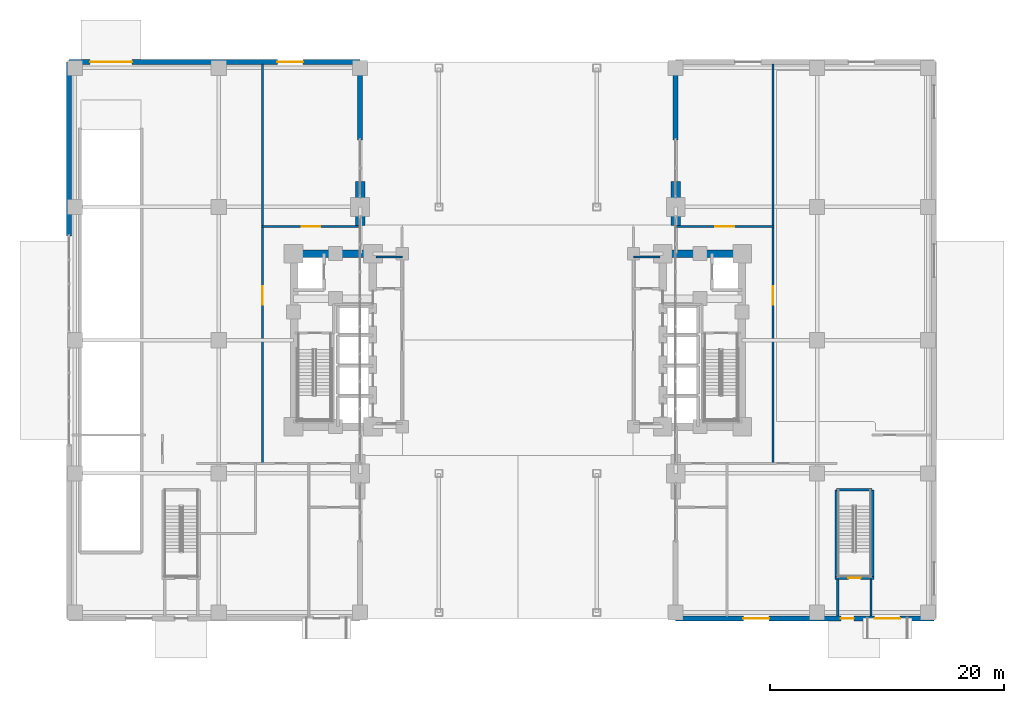
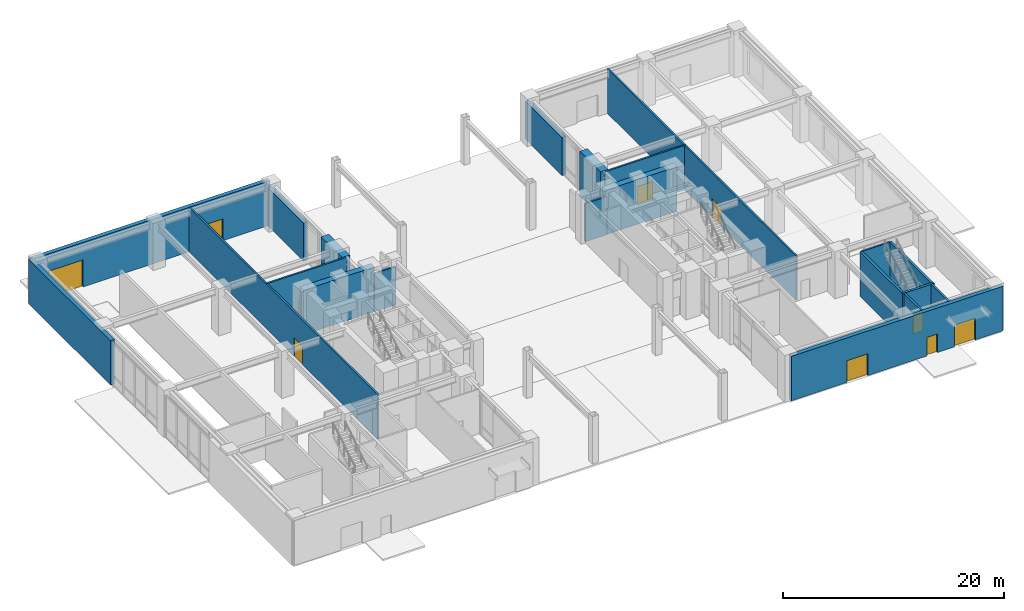
# One storey, part 19 of 23: 21 walls, 10 doors, 10 openings.
"""IFC4 building model written with IfcOpenShell, lengths in metres."""

from ifc_helpers import new_model, si_unit, direction, frame, frame_2d, origin, place, context, subcontext, project, spatial, rectangle, extrude, material, layer, layer_set, type_object, element, fill, save


model = new_model("IFC4")

# Units and contexts
model_context = context("Model", 3, precision=1e-05, world=origin(), true_north=direction((0.0, 1.0)))
body_context = subcontext(model_context, "Body", "Model", "MODEL_VIEW")
ifc_project = project(units=[si_unit("LENGTHUNIT", "METRE"), si_unit("AREAUNIT", "SQUARE_METRE"), si_unit("VOLUMEUNIT", "CUBIC_METRE"), si_unit("PLANEANGLEUNIT", "RADIAN"), si_unit("MASSUNIT", "GRAM", prefix="KILO")], contexts=[model_context])

# Site, building, storey
site_placement = place(None, origin())
site = spatial("IfcSite", under=ifc_project, at=site_placement, CompositionType="ELEMENT")
building_placement = place(site_placement, origin())
building = spatial("IfcBuilding", under=site, at=building_placement, Name="Voryun Gate Residences", CompositionType="ELEMENT")
storey_placement = place(building_placement, origin())
storey = spatial("IfcBuildingStorey", under=building, at=storey_placement, Name="L00", CompositionType="ELEMENT", Elevation=0.0)

# Walls
ifc_material_1 = material(Name="Concrete C60/75", Category="concrete")
ifc_layer_1 = layer(ifc_material_1, 0.64990234375, Name="CW_CORE_650")
ifc_layer_set_1 = layer_set([ifc_layer_1], Name="Concrete C60/75")
wall_type_1 = type_object("IfcWallType", Name="CW_CORE_650", PredefinedType="SHEAR", material=ifc_layer_set_1)
for number, where, z_axis, x_axis, name in (
    (1, (-19.52490234375, 7.39990234375, 0.0), (0.0, 0.0, 1.0), (1.0, 0.0, 0.0), "L00 Core shear wall CW-L00-WN"),
    (2, (12.074951171875, 7.39990234375, 0.0), (0.0, 0.0, 1.0), (1.0, 0.0, 0.0), "L00 Core shear wall CW-L00-EN"),
):
    element("IfcWall", number, at=place(storey_placement, frame(where, z_axis=z_axis, x_axis=x_axis)), inside=storey, type_object=wall_type_1, Name=name, PredefinedType="SHEAR", context=body_context, shape_type="SweptSolid", body=[
        extrude(rectangle(XDim=7.449951171875, YDim=0.64990234375, at=frame_2d((3.72509765625, 0.0))), origin(), (0.0, 0.0, 1.0), 4.919921875),
    ])
ifc_material_2 = material(Name="Concrete C60/75", Category="concrete")
ifc_layer_2 = layer(ifc_material_2, 0.800048828125, Name="W_ARCH_PIER_800")
ifc_layer_set_2 = layer_set([ifc_layer_2], Name="Concrete C60/75")
wall_type_2 = type_object("IfcWallType", Name="W_ARCH_PIER_800", PredefinedType="SOLIDWALL", material=ifc_layer_set_2)
for number, where, z_axis, x_axis, name in (
    (3, (-13.5, 9.800048828125, 0.0), (0.0, 0.0, 1.0), (0.0, 1.0, 0.0), "L00 Parabolic arch pier wall WN"),
    (4, (13.5, 9.800048828125, 0.0), (0.0, 0.0, 1.0), (0.0, 1.0, 0.0), "L00 Parabolic arch pier wall EN"),
):
    element("IfcWall", number, at=place(storey_placement, frame(where, z_axis=z_axis, x_axis=x_axis)), inside=storey, type_object=wall_type_2, Name=name, PredefinedType="SOLIDWALL", context=body_context, shape_type="SweptSolid", body=[
        extrude(rectangle(XDim=3.800048828125, YDim=0.800048828125, at=frame_2d((1.89990234375, 0.0))), origin(), (0.0, 0.0, 1.0), 4.919921875),
    ])
ifc_material_3 = material(Name="Gypsum acoustic fireboard")
ifc_layer_3 = layer(ifc_material_3, 0.179931640625, Name="W_CORR_RATED_180")
ifc_layer_set_3 = layer_set([ifc_layer_3], Name="Gypsum acoustic fireboard")
wall_type_3 = type_object("IfcWallType", Name="W_CORR_RATED_180", PredefinedType="PARTITIONING", material=ifc_layer_set_3)
for number, where, z_axis, x_axis, name in (
    (5, (-12.14990234375, 7.1201171875, 0.0), (0.0, 0.0, 1.0), (1.0, 0.0, 0.0), "Partition wall WP-L00-PLBN-W"),
    (6, (9.8798828125, 7.1201171875, 0.0), (0.0, 0.0, 1.0), (1.0, 0.0, 0.0), "Partition wall WP-L00-PLBN-E"),
):
    element("IfcWall", number, at=place(storey_placement, frame(where, z_axis=z_axis, x_axis=x_axis)), inside=storey, type_object=wall_type_3, Name=name, PredefinedType="PARTITIONING", context=body_context, shape_type="SweptSolid", body=[
        extrude(rectangle(XDim=2.27001953125, YDim=0.179931640625, at=frame_2d((1.135009765625, 0.0))), origin(), (0.0, 0.0, 1.0), 4.2099609375),
    ])
wall_1_placement = place(storey_placement, frame((27.280029296875, -12.800048828125, 0.0), z_axis=(0.0, 0.0, 1.0), x_axis=(1.0, 0.0, 0.0)))
element("IfcWall", 7, at=wall_1_placement, inside=storey, type_object=wall_type_3, Name="Partition wall WP-L00-ST-P2-MID", PredefinedType="PARTITIONING", context=body_context, shape_type="SweptSolid", body=[
    extrude(rectangle(XDim=3.0400390625, YDim=0.179931640625, at=frame_2d((1.52001953125, 0.0))), origin(), (0.0, 0.0, 1.0), 4.919921875),
])

# Wall, opening, door
wall_2_placement = place(storey_placement, frame((-21.85009765625, -10.5, 0.0), z_axis=(0.0, 0.0, 1.0), x_axis=(0.0, 1.0, 0.0)))
wall_2 = element("IfcWall", 8, at=wall_2_placement, inside=storey, type_object=wall_type_3, Name="Partition wall WP-L00-WCW1", PredefinedType="PARTITIONING", context=body_context, shape_type="SweptSolid", body=[
    extrude(rectangle(XDim=34.1201171875, YDim=0.179931640625, at=frame_2d((17.06005859375, 0.0))), origin(), (0.0, 0.0, 1.0), 4.919921875),
])
opening_1_placement = place(wall_2_placement, frame((13.530517578125, 0.0, 0.0)))
opening_1 = element("IfcOpeningElement", 9, at=opening_1_placement, cuts=wall_2, Name="Opening D-FD30-1", PredefinedType="OPENING", context=body_context, shape_type="SweptSolid", body=[
    extrude(rectangle(XDim=1.60009765625, YDim=2.050048828125, at=frame_2d((0.800048828125, 1.02490234375))), frame((0.0, 0.099853515625, 0.0), z_axis=(0.0, -1.0, 0.0), x_axis=(1.0, 0.0, 0.0)), (0.0, 0.0, 1.0), 0.199951171875),
])
ifc_material_4 = material(Name="Glazed aluminium fire door", Category="aluminium")
door_type_1 = type_object("IfcDoorType", Name="DR_CORR_SMOKE_1600", OperationType="NOTDEFINED", PredefinedType="DOOR", material=ifc_material_4)
door_1_placement = place(opening_1_placement, origin())
door_1 = element("IfcDoor", 10, at=door_1_placement, inside=storey, type_object=door_type_1, Name="Door DR-L00-WD1", OperationType="DOUBLE_DOOR_SINGLE_SWING", OverallHeight=2.050048828125, OverallWidth=1.60009765625, PredefinedType="DOOR", context=body_context, shape_type="SweptSolid", body=[
    extrude(rectangle(XDim=1.60009765625, YDim=2.050048828125, at=frame_2d((0.800048828125, 1.02490234375))), frame((0.0, 0.02490234375, 0.0), z_axis=(0.0, -1.0, 0.0), x_axis=(1.0, 0.0, 0.0)), (0.0, 0.0, 1.0), 0.050048828125),
])
fill(opening_1, door_1)

wall_3_placement = place(storey_placement, frame((-21.89990234375, 9.719970703125, 0.0), z_axis=(0.0, 0.0, 1.0), x_axis=(1.0, 0.0, 0.0)))
wall_3 = element("IfcWall", 11, at=wall_3_placement, inside=storey, type_object=wall_type_3, Name="Partition wall WP-L00-WCN1", PredefinedType="PARTITIONING", context=body_context, shape_type="SweptSolid", body=[
    extrude(rectangle(XDim=8.3798828125, YDim=0.179931640625, at=frame_2d((4.18994140625, 0.0))), origin(), (0.0, 0.0, 1.0), 4.919921875),
])
opening_2_placement = place(wall_3_placement, frame((3.389892578125, 0.0, 0.0)))
opening_2 = element("IfcOpeningElement", 12, at=opening_2_placement, cuts=wall_3, Name="Opening D-FD30-1", PredefinedType="OPENING", context=body_context, shape_type="SweptSolid", body=[
    extrude(rectangle(XDim=1.60009765625, YDim=2.050048828125, at=frame_2d((0.800048828125, 1.02490234375))), frame((0.0, 0.099853515625, 0.0), z_axis=(0.0, -1.0, 0.0), x_axis=(1.0, 0.0, 0.0)), (0.0, 0.0, 1.0), 0.199951171875),
])
door_2_placement = place(opening_2_placement, origin())
door_2 = element("IfcDoor", 13, at=door_2_placement, inside=storey, type_object=door_type_1, Name="Door DR-L00-WD3", OperationType="DOUBLE_DOOR_SINGLE_SWING", OverallHeight=2.050048828125, OverallWidth=1.60009765625, PredefinedType="DOOR", context=body_context, shape_type="SweptSolid", body=[
    extrude(rectangle(XDim=1.60009765625, YDim=2.050048828125, at=frame_2d((0.800048828125, 1.02490234375))), frame((0.0, 0.02490234375, 0.0), z_axis=(0.0, -1.0, 0.0), x_axis=(1.0, 0.0, 0.0)), (0.0, 0.0, 1.0), 0.050048828125),
])
fill(opening_2, door_2)

wall_4_placement = place(storey_placement, frame((21.85009765625, -10.5, 0.0), z_axis=(0.0, 0.0, 1.0), x_axis=(0.0, 1.0, 0.0)))
wall_4 = element("IfcWall", 14, at=wall_4_placement, inside=storey, type_object=wall_type_3, Name="Partition wall WP-L00-ECE1", PredefinedType="PARTITIONING", context=body_context, shape_type="SweptSolid", body=[
    extrude(rectangle(XDim=34.1201171875, YDim=0.179931640625, at=frame_2d((17.06005859375, 0.0))), origin(), (0.0, 0.0, 1.0), 4.919921875),
])
opening_3_placement = place(wall_4_placement, frame((13.530517578125, 0.0, 0.0)))
opening_3 = element("IfcOpeningElement", 15, at=opening_3_placement, cuts=wall_4, Name="Opening D-FD30-1", PredefinedType="OPENING", context=body_context, shape_type="SweptSolid", body=[
    extrude(rectangle(XDim=1.60009765625, YDim=2.050048828125, at=frame_2d((0.800048828125, 1.02490234375))), frame((0.0, 0.099853515625, 0.0), z_axis=(0.0, -1.0, 0.0), x_axis=(1.0, 0.0, 0.0)), (0.0, 0.0, 1.0), 0.199951171875),
])
door_3_placement = place(opening_3_placement, origin())
door_3 = element("IfcDoor", 16, at=door_3_placement, inside=storey, type_object=door_type_1, Name="Door DR-L00-ED1", OperationType="DOUBLE_DOOR_SINGLE_SWING", OverallHeight=2.050048828125, OverallWidth=1.60009765625, PredefinedType="DOOR", context=body_context, shape_type="SweptSolid", body=[
    extrude(rectangle(XDim=1.60009765625, YDim=2.050048828125, at=frame_2d((0.800048828125, 1.02490234375))), frame((0.0, 0.02490234375, 0.0), z_axis=(0.0, -1.0, 0.0), x_axis=(1.0, 0.0, 0.0)), (0.0, 0.0, 1.0), 0.050048828125),
])
fill(opening_3, door_3)

wall_5_placement = place(storey_placement, frame((13.52001953125, 9.719970703125, 0.0), z_axis=(0.0, 0.0, 1.0), x_axis=(1.0, 0.0, 0.0)))
wall_5 = element("IfcWall", 17, at=wall_5_placement, inside=storey, type_object=wall_type_3, Name="Partition wall WP-L00-ECN1", PredefinedType="PARTITIONING", context=body_context, shape_type="SweptSolid", body=[
    extrude(rectangle(XDim=8.3798828125, YDim=0.179931640625, at=frame_2d((4.18994140625, 0.0))), origin(), (0.0, 0.0, 1.0), 4.919921875),
])
opening_4_placement = place(wall_5_placement, frame((3.389892578125, 0.0, 0.0)))
opening_4 = element("IfcOpeningElement", 18, at=opening_4_placement, cuts=wall_5, Name="Opening D-FD30-1", PredefinedType="OPENING", context=body_context, shape_type="SweptSolid", body=[
    extrude(rectangle(XDim=1.60009765625, YDim=2.050048828125, at=frame_2d((0.800048828125, 1.02490234375))), frame((0.0, 0.099853515625, 0.0), z_axis=(0.0, -1.0, 0.0), x_axis=(1.0, 0.0, 0.0)), (0.0, 0.0, 1.0), 0.199951171875),
])
door_4_placement = place(opening_4_placement, origin())
door_4 = element("IfcDoor", 19, at=door_4_placement, inside=storey, type_object=door_type_1, Name="Door DR-L00-ED2", OperationType="DOUBLE_DOOR_SINGLE_SWING", OverallHeight=2.050048828125, OverallWidth=1.60009765625, PredefinedType="DOOR", context=body_context, shape_type="SweptSolid", body=[
    extrude(rectangle(XDim=1.60009765625, YDim=2.050048828125, at=frame_2d((0.800048828125, 1.02490234375))), frame((0.0, 0.02490234375, 0.0), z_axis=(0.0, -1.0, 0.0), x_axis=(1.0, 0.0, 0.0)), (0.0, 0.0, 1.0), 0.050048828125),
])
fill(opening_4, door_4)

# Wall
ifc_material_5 = material(Name="Granite masonry", Category="masonry")
ifc_layer_4 = layer(ifc_material_5, 0.419921875, Name="W_EXT_PODIUM_420")
ifc_layer_set_4 = layer_set([ifc_layer_4], Name="Granite masonry")
wall_type_4 = type_object("IfcWallType", Name="W_EXT_PODIUM_420", PredefinedType="ELEMENTEDWALL", material=ifc_layer_set_4)
wall_6_placement = place(storey_placement, frame((-13.5, 17.1201171875, 0.0), z_axis=(0.0, 0.0, 1.0), x_axis=(0.0, 1.0, 0.0)))
element("IfcWall", 20, at=wall_6_placement, inside=storey, type_object=wall_type_4, Name="Exterior wall WEP-L00-WP-2B", PredefinedType="ELEMENTEDWALL", context=body_context, shape_type="SweptSolid", body=[
    extrude(rectangle(XDim=6.679931640625, YDim=0.419921875, at=frame_2d((3.33984375, 0.0))), origin(), (0.0, 0.0, 1.0), 4.2099609375),
])

# Wall, openings, doors
wall_7_placement = place(storey_placement, frame((-13.5, 23.800048828125, 0.0), z_axis=(0.0, 0.0, 1.0), x_axis=(-1.0, 0.0, 0.0)))
wall_7 = element("IfcWall", 21, at=wall_7_placement, inside=storey, type_object=wall_type_4, Name="Exterior wall WEP-L00-WP-3", PredefinedType="ELEMENTEDWALL", context=body_context, shape_type="SweptSolid", body=[
    extrude(rectangle(XDim=24.89990234375, YDim=0.419921875, at=frame_2d((12.449951171875, 0.0))), origin(), (0.0, 0.0, 1.0), 4.919921875),
])
opening_5_placement = place(wall_7_placement, frame((19.5, 0.0, 0.0)))
opening_5 = element("IfcOpeningElement", 22, at=opening_5_placement, cuts=wall_7, Name="Opening D-VEH-1", PredefinedType="OPENING", context=body_context, shape_type="SweptSolid", body=[
    extrude(rectangle(XDim=3.60009765625, YDim=3.0, at=frame_2d((1.800048828125, 1.5))), frame((0.0, 0.219970703125, 0.0), z_axis=(0.0, -1.0, 0.0), x_axis=(1.0, 0.0, 0.0)), (0.0, 0.0, 1.0), 0.43994140625),
])
opening_6_placement = place(wall_7_placement, frame((4.8759765625, 0.0, 0.0)))
opening_6 = element("IfcOpeningElement", 23, at=opening_6_placement, cuts=wall_7, Name="Opening D-LOB-1", PredefinedType="OPENING", context=body_context, shape_type="SweptSolid", body=[
    extrude(rectangle(XDim=2.199951171875, YDim=2.39990234375, at=frame_2d((1.10009765625, 1.199951171875))), frame((0.0, 0.219970703125, 0.0), z_axis=(0.0, -1.0, 0.0), x_axis=(1.0, 0.0, 0.0)), (0.0, 0.0, 1.0), 0.43994140625),
])
ifc_material_6 = material(Name="Dark bronze aluminium and low-E glass", Category="aluminium")
door_type_2 = type_object("IfcDoorType", Name="DR_LOBBY_PORTAL_2200", OperationType="NOTDEFINED", PredefinedType="DOOR", material=ifc_material_6)
door_5_placement = place(opening_6_placement, origin())
door_5 = element("IfcDoor", 24, at=door_5_placement, inside=storey, type_object=door_type_2, Name="Door DR-L00-WP-E2-1", OperationType="DOUBLE_DOOR_SINGLE_SWING", OverallHeight=2.39990234375, OverallWidth=2.199951171875, PredefinedType="DOOR", context=body_context, shape_type="SweptSolid", body=[
    extrude(rectangle(XDim=2.199951171875, YDim=2.39990234375, at=frame_2d((1.10009765625, 1.199951171875))), frame((0.0, 0.02490234375, 0.0), z_axis=(0.0, -1.0, 0.0), x_axis=(1.0, 0.0, 0.0)), (0.0, 0.0, 1.0), 0.050048828125),
])
fill(opening_6, door_5)
ifc_material_7 = material(Name="Painted steel fire shutter", Category="steel")
door_type_3 = type_object("IfcDoorType", Name="DR_VEH_SHUTTER_3600", OperationType="ROLLINGUP", PredefinedType="GATE", material=ifc_material_7)
door_6_placement = place(opening_5_placement, origin())
door_6 = element("IfcDoor", 25, at=door_6_placement, inside=storey, type_object=door_type_3, Name="Door DR-L00-VEH-RAMP", OperationType="ROLLINGUP", OverallHeight=3.0, OverallWidth=3.60009765625, PredefinedType="GATE", context=body_context, shape_type="SweptSolid", body=[
    extrude(rectangle(XDim=3.60009765625, YDim=3.0, at=frame_2d((1.800048828125, 1.5))), frame((0.0, 0.02490234375, 0.0), z_axis=(0.0, -1.0, 0.0), x_axis=(1.0, 0.0, 0.0)), (0.0, 0.0, 1.0), 0.050048828125),
])
fill(opening_5, door_6)

# Wall
wall_8_placement = place(storey_placement, frame((-38.39990234375, 23.800048828125, 0.0), z_axis=(0.0, 0.0, 1.0), x_axis=(0.0, -1.0, 0.0)))
element("IfcWall", 26, at=wall_8_placement, inside=storey, type_object=wall_type_4, Name="Exterior wall WEP-L00-WP-4A", PredefinedType="ELEMENTEDWALL", context=body_context, shape_type="SweptSolid", body=[
    extrude(rectangle(XDim=14.880126953125, YDim=0.419921875, at=frame_2d((7.43994140625, 0.0))), origin(), (0.0, 0.0, 1.0), 4.919921875),
])

# Wall, openings, doors
wall_9_placement = place(storey_placement, frame((35.60009765625, -23.800048828125, 0.0), z_axis=(0.0, 0.0, 1.0), x_axis=(-1.0, 0.0, 0.0)))
wall_9 = element("IfcWall", 27, at=wall_9_placement, inside=storey, type_object=wall_type_4, Name="Exterior wall WEP-L00-EP-1", PredefinedType="ELEMENTEDWALL", context=body_context, shape_type="SweptSolid", body=[
    extrude(rectangle(XDim=22.10009765625, YDim=0.419921875, at=frame_2d((11.050048828125, 0.0))), origin(), (0.0, 0.0, 1.0), 4.919921875),
])
opening_7_placement = place(wall_9_placement, frame((6.85009765625, 0.0, 0.0)))
opening_7 = element("IfcOpeningElement", 28, at=opening_7_placement, cuts=wall_9, Name="Opening D-FD60-2", PredefinedType="OPENING", context=body_context, shape_type="SweptSolid", body=[
    extrude(rectangle(XDim=1.10009765625, YDim=2.050048828125, at=frame_2d((0.550048828125, 1.02490234375))), frame((0.0, 0.219970703125, 0.0), z_axis=(0.0, -1.0, 0.0), x_axis=(1.0, 0.0, 0.0)), (0.0, 0.0, 1.0), 0.43994140625),
])
opening_8_placement = place(wall_9_placement, frame((2.8779296875, 0.0, 0.0)))
opening_8 = element("IfcOpeningElement", 29, at=opening_8_placement, cuts=wall_9, Name="Opening D-LOB-1", PredefinedType="OPENING", context=body_context, shape_type="SweptSolid", body=[
    extrude(rectangle(XDim=2.199951171875, YDim=2.39990234375, at=frame_2d((1.10009765625, 1.199951171875))), frame((0.0, 0.219970703125, 0.0), z_axis=(0.0, -1.0, 0.0), x_axis=(1.0, 0.0, 0.0)), (0.0, 0.0, 1.0), 0.43994140625),
])
opening_9_placement = place(wall_9_placement, frame((14.095947265625, 0.0, 0.0)))
opening_9 = element("IfcOpeningElement", 30, at=opening_9_placement, cuts=wall_9, Name="Opening D-LOB-1", PredefinedType="OPENING", context=body_context, shape_type="SweptSolid", body=[
    extrude(rectangle(XDim=2.199951171875, YDim=2.39990234375, at=frame_2d((1.10009765625, 1.199951171875))), frame((0.0, 0.219970703125, 0.0), z_axis=(0.0, -1.0, 0.0), x_axis=(1.0, 0.0, 0.0)), (0.0, 0.0, 1.0), 0.43994140625),
])
ifc_material_8 = material(Name="Painted steel fire door", Category="steel")
door_type_4 = type_object("IfcDoorType", Name="DR_FD60_FFLOB_1100", OperationType="NOTDEFINED", PredefinedType="DOOR", material=ifc_material_8)
door_7_placement = place(opening_7_placement, origin())
door_7 = element("IfcDoor", 31, at=door_7_placement, inside=storey, type_object=door_type_4, Name="Door DR-L00-EXIT-P2", OperationType="SINGLE_SWING_RIGHT", OverallHeight=2.050048828125, OverallWidth=1.10009765625, PredefinedType="DOOR", context=body_context, shape_type="SweptSolid", body=[
    extrude(rectangle(XDim=1.10009765625, YDim=2.050048828125, at=frame_2d((0.550048828125, 1.02490234375))), frame((0.0, 0.02490234375, 0.0), z_axis=(0.0, -1.0, 0.0), x_axis=(1.0, 0.0, 0.0)), (0.0, 0.0, 1.0), 0.050048828125),
])
fill(opening_7, door_7)
door_8_placement = place(opening_8_placement, origin())
door_8 = element("IfcDoor", 32, at=door_8_placement, inside=storey, type_object=door_type_2, Name="Door DR-L00-EP-E0-1", OperationType="DOUBLE_DOOR_SINGLE_SWING", OverallHeight=2.39990234375, OverallWidth=2.199951171875, PredefinedType="DOOR", context=body_context, shape_type="SweptSolid", body=[
    extrude(rectangle(XDim=2.199951171875, YDim=2.39990234375, at=frame_2d((1.10009765625, 1.199951171875))), frame((0.0, 0.02490234375, 0.0), z_axis=(0.0, -1.0, 0.0), x_axis=(1.0, 0.0, 0.0)), (0.0, 0.0, 1.0), 0.050048828125),
])
fill(opening_8, door_8)
door_9_placement = place(opening_9_placement, origin())
door_9 = element("IfcDoor", 33, at=door_9_placement, inside=storey, type_object=door_type_2, Name="Door DR-L00-EP-E0-2", OperationType="DOUBLE_DOOR_SINGLE_SWING", OverallHeight=2.39990234375, OverallWidth=2.199951171875, PredefinedType="DOOR", context=body_context, shape_type="SweptSolid", body=[
    extrude(rectangle(XDim=2.199951171875, YDim=2.39990234375, at=frame_2d((1.10009765625, 1.199951171875))), frame((0.0, 0.02490234375, 0.0), z_axis=(0.0, -1.0, 0.0), x_axis=(1.0, 0.0, 0.0)), (0.0, 0.0, 1.0), 0.050048828125),
])
fill(opening_9, door_9)

# Walls
wall_10_placement = place(storey_placement, frame((13.5, 17.1201171875, 0.0), z_axis=(0.0, 0.0, 1.0), x_axis=(0.0, 1.0, 0.0)))
element("IfcWall", 34, at=wall_10_placement, inside=storey, type_object=wall_type_4, Name="Exterior wall WEP-L00-EP-4B", PredefinedType="ELEMENTEDWALL", context=body_context, shape_type="SweptSolid", body=[
    extrude(rectangle(XDim=6.679931640625, YDim=0.419921875, at=frame_2d((3.33984375, 0.0))), origin(), (0.0, 0.0, 1.0), 4.2099609375),
])
ifc_material_9 = material(Name="Concrete C40/50", Category="concrete")
ifc_layer_5 = layer(ifc_material_9, 0.199951171875, Name="W_FF_LOBBY_200")
ifc_layer_set_5 = layer_set([ifc_layer_5], Name="Concrete C40/50")
wall_type_5 = type_object("IfcWallType", Name="W_FF_LOBBY_200", PredefinedType="PARTITIONING", material=ifc_layer_set_5)
for number, where, z_axis, x_axis, name in (
    (35, (27.3798828125, -23.6201171875, 0.0), (0.0, 0.0, 1.0), (0.0, 1.0, 0.0), "Partition wall WP-L00-EXP-ST-P2-W"),
    (36, (30.219970703125, -23.6201171875, 0.0), (0.0, 0.0, 1.0), (0.0, 1.0, 0.0), "Partition wall WP-L00-EXP-ST-P2-E"),
):
    element("IfcWall", number, at=place(storey_placement, frame(where, z_axis=z_axis, x_axis=x_axis)), inside=storey, type_object=wall_type_5, Name=name, PredefinedType="PARTITIONING", context=body_context, shape_type="SweptSolid", body=[
        extrude(rectangle(XDim=3.170166015625, YDim=0.199951171875, at=frame_2d((1.5849609375, 0.0))), origin(), (0.0, 0.0, 1.0), 4.919921875),
    ])
ifc_material_10 = material(Name="Concrete C50/60", Category="concrete")
ifc_layer_6 = layer(ifc_material_10, 0.25, Name="W_SHAFT_RC250")
ifc_layer_set_6 = layer_set([ifc_layer_6], Name="Concrete C50/60")
wall_type_6 = type_object("IfcWallType", Name="W_SHAFT_RC250", PredefinedType="SOLIDWALL", material=ifc_layer_set_6)
for number, where, z_axis, x_axis, name in (
    (37, (27.260009765625, -20.485107421875, 0.0), (0.0, 0.0, 1.0), (0.0, 1.0, 0.0), "L00 Podium stair structural wall STP2-W"),
    (38, (30.340087890625, -20.485107421875, 0.0), (0.0, 0.0, 1.0), (0.0, 1.0, 0.0), "L00 Podium stair structural wall STP2-E"),
):
    element("IfcWall", number, at=place(storey_placement, frame(where, z_axis=z_axis, x_axis=x_axis)), inside=storey, type_object=wall_type_6, Name=name, PredefinedType="SOLIDWALL", context=body_context, shape_type="SweptSolid", body=[
        extrude(rectangle(XDim=7.68505859375, YDim=0.25, at=frame_2d((3.842529296875, 0.0))), origin(), (0.0, 0.0, 1.0), 4.919921875),
    ])

# Wall, opening, door
wall_11_placement = place(storey_placement, frame((27.139892578125, -20.364990234375, 0.0), z_axis=(0.0, 0.0, 1.0), x_axis=(1.0, 0.0, 0.0)))
wall_11 = element("IfcWall", 39, at=wall_11_placement, inside=storey, type_object=wall_type_6, Name="L00 Podium stair structural wall STP2-S", PredefinedType="SOLIDWALL", context=body_context, shape_type="SweptSolid", body=[
    extrude(rectangle(XDim=3.320068359375, YDim=0.25, at=frame_2d((1.66015625, 0.0))), origin(), (0.0, 0.0, 1.0), 4.919921875),
])
opening_10_placement = place(wall_11_placement, frame((1.135009765625, 0.0, 0.0)))
opening_10 = element("IfcOpeningElement", 40, at=opening_10_placement, cuts=wall_11, Name="Opening D-FD60-1", PredefinedType="OPENING", context=body_context, shape_type="SweptSolid", body=[
    extrude(rectangle(XDim=1.050048828125, YDim=2.050048828125, at=frame_2d((0.52490234375, 1.02490234375))), frame((0.0, 0.135009765625, 0.0), z_axis=(0.0, -1.0, 0.0), x_axis=(1.0, 0.0, 0.0)), (0.0, 0.0, 1.0), 0.27001953125),
])
ifc_material_11 = material(Name="Painted steel fire door", Category="steel")
door_type_5 = type_object("IfcDoorType", Name="DR_FD60_STAIR_1050", OperationType="NOTDEFINED", PredefinedType="DOOR", material=ifc_material_11)
door_10_placement = place(opening_10_placement, origin())
door_10 = element("IfcDoor", 41, at=door_10_placement, inside=storey, type_object=door_type_5, Name="Door DR-L00-ST-P2-SDIS", OperationType="SINGLE_SWING_RIGHT", OverallHeight=2.050048828125, OverallWidth=1.050048828125, PredefinedType="DOOR", context=body_context, shape_type="SweptSolid", body=[
    extrude(rectangle(XDim=1.050048828125, YDim=2.050048828125, at=frame_2d((0.52490234375, 1.02490234375))), frame((0.0, 0.02490234375, 0.0), z_axis=(0.0, -1.0, 0.0), x_axis=(1.0, 0.0, 0.0)), (0.0, 0.0, 1.0), 0.050048828125),
])
fill(opening_10, door_10)

save(model, "model.ifc")
